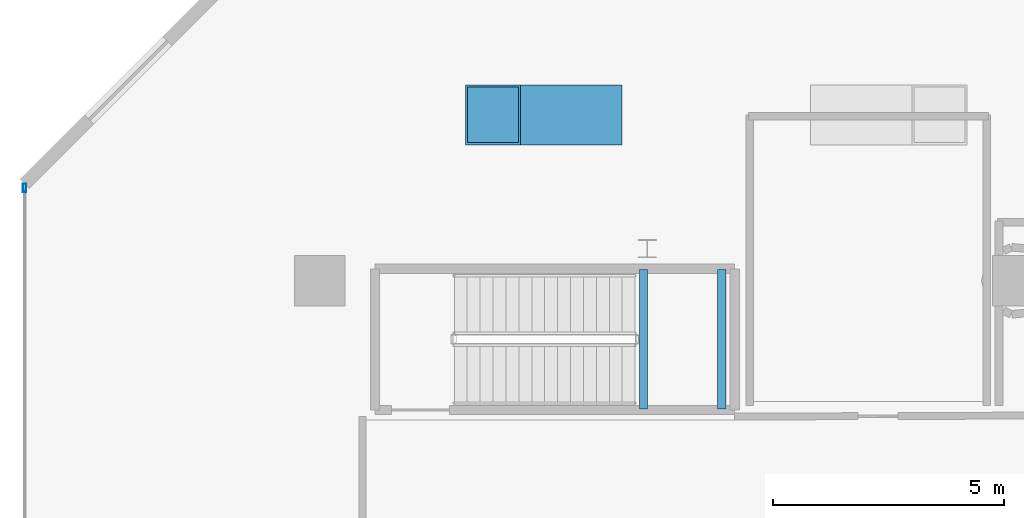
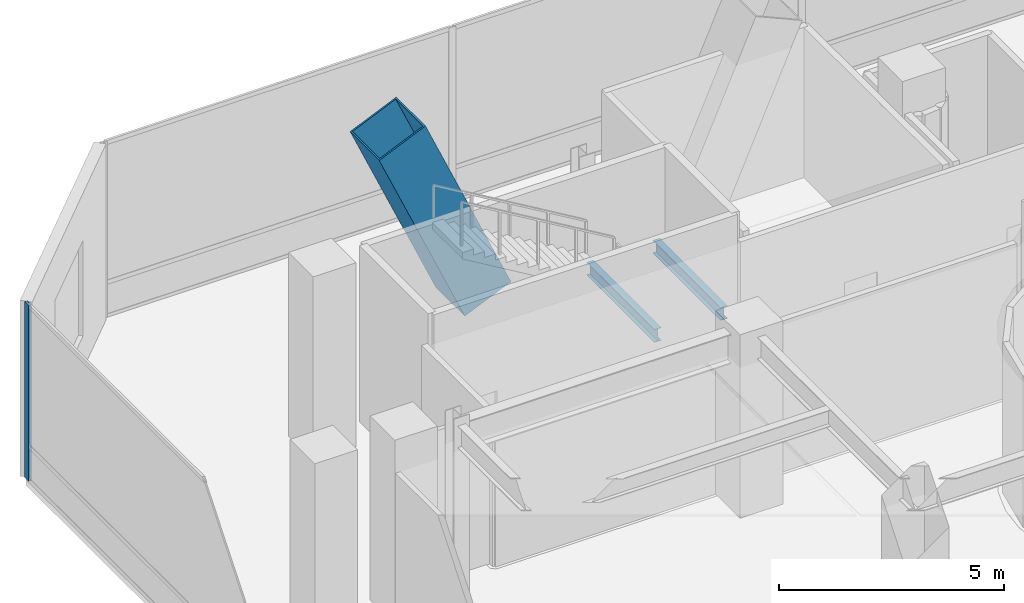
# One storey, part 17 of 42: 2 beams, 2 members, 1 element without a shape of its own.
"""IFC4 building model written with IfcOpenShell, lengths in metres."""

from ifc_helpers import new_model, si_unit, direction, frame, origin, origin_2d, place, context, subcontext, project, spatial, hollow_rectangle, i_section, extrude, material, layer, layer_set, material_profile, profile_set, type_object, element, aggregate, save


model = new_model("IFC4")

# Units and contexts
model_context = context("Model", 3, precision=1e-05, world=origin(), true_north=direction((0.0, 1.0)))
body_context = subcontext(model_context, "Body", "Model", "MODEL_VIEW")
ifc_project = project(units=[si_unit("LENGTHUNIT", "METRE"), si_unit("AREAUNIT", "SQUARE_METRE"), si_unit("VOLUMEUNIT", "CUBIC_METRE"), si_unit("PLANEANGLEUNIT", "RADIAN"), si_unit("MASSUNIT", "GRAM", prefix="KILO")], contexts=[model_context])

# Site, building, storey
site_placement = place(None, origin())
site = spatial("IfcSite", under=ifc_project, at=site_placement, CompositionType="ELEMENT")
building_placement = place(site_placement, origin())
building = spatial("IfcBuilding", under=site, at=building_placement, Name="Qianvela Tower", CompositionType="ELEMENT")
storey_placement = place(building_placement, frame((0.0, 0.0, 6.0)))
storey = spatial("IfcBuildingStorey", under=building, at=storey_placement, Name="L01", CompositionType="ELEMENT", Elevation=6.0)

# Beams
ifc_material_1 = material(Name="Steel Q355B", Category="steel")
ifc_material_profile_1 = material_profile(ifc_material_1, i_section(OverallWidth=0.175048828125, OverallDepth=0.35009765625, WebThickness=0.007080078125, FlangeThickness=0.010986328125, at=origin_2d()), Name="HN350x175x7x11")
ifc_profile_set_1 = profile_set([ifc_material_profile_1], Name="Steel Q355B")
beam_type = type_object("IfcBeamType", Name="BM-HN350-JOIST", PredefinedType="JOIST", material=ifc_profile_set_1)
for number, where, z_axis, x_axis, name in (
    (1, (14.919921875, 41.1201171875, 2.125), (0.0, 1.0, 0.0), (-1.0, 0.0, 0.0), "L01 Stair ST-3 Landing Support Beam 1.1"),
    (2, (16.6201171875, 41.1201171875, 2.125), (0.0, 1.0, 0.0), (-1.0, 0.0, 0.0), "L01 Stair ST-3 Landing Support Beam 1.2"),
):
    element("IfcBeam", number, at=place(storey_placement, frame(where, z_axis=z_axis, x_axis=x_axis)), inside=storey, type_object=beam_type, Name=name, PredefinedType="JOIST", context=body_context, shape_type="SweptSolid", body=[
        extrude(i_section(OverallWidth=0.175048828125, OverallDepth=0.35009765625, WebThickness=0.007080078125, FlangeThickness=0.010986328125, at=origin_2d()), origin(), (0.0, 0.0, 1.0), 3.019775390625),
    ])

# Curtain wall, member
ifc_material_2 = material(Name="Anodised Architectural Aluminium and Low-E Glass", Category="aluminium")
ifc_layer = layer(ifc_material_2, 0.179931640625)
ifc_layer_set = layer_set([ifc_layer], Name="Anodised Architectural Aluminium and Low-E Glass")
curtain_wall_type = type_object("IfcCurtainWallType", Name="CW-COMMONS", PredefinedType="USERDEFINED", material=ifc_layer_set)
curtain_wall_placement = place(storey_placement, origin())
curtain_wall = element("IfcCurtainWall", 3, at=curtain_wall_placement, inside=storey, type_object=curtain_wall_type, Name="L01 CW-COMMONS Curtain Wall 07", ObjectType="CURTAIN_WALL_SYSTEM", PredefinedType="USERDEFINED")
ifc_material_3 = material(Name="Anodised Architectural Aluminium 6063-T6", Category="aluminium")
ifc_material_profile_2 = material_profile(ifc_material_3, hollow_rectangle(XDim=0.070068359375, YDim=0.179931640625, WallThickness=0.0048828125, at=origin_2d()), Name="ALU-MULL-70x180")
ifc_profile_set_2 = profile_set([ifc_material_profile_2], Name="Anodised Architectural Aluminium 6063-T6")
member_type_1 = type_object("IfcMemberType", Name="CW-COMMONS-MULL", PredefinedType="MULLION", material=ifc_profile_set_2)
member_1_placement = place(storey_placement, frame((1.5, 45.9150390625, 0.0), z_axis=(0.0, 0.0, 1.0), x_axis=(1.0, 0.0, 0.0)))
member_1 = element("IfcMember", 4, at=member_1_placement, type_object=member_type_1, Name="CW-2 mullion 1", PredefinedType="MULLION", context=body_context, shape_type="SweptSolid", body=[
    extrude(hollow_rectangle(XDim=0.070068359375, YDim=0.179931640625, WallThickness=0.0048828125, at=origin_2d()), origin(), (0.0, 0.0, 1.0), 4.780029296875),
])
aggregate(curtain_wall, [member_1])

# Member
ifc_material_4 = material(Name="Steel Q420GJC", Category="steel")
ifc_material_profile_3 = material_profile(ifc_material_4, hollow_rectangle(XDim=1.300048828125, YDim=1.300048828125, WallThickness=0.044921875, at=origin_2d()), Name="VBOX-1300x1300x45")
ifc_profile_set_3 = profile_set([ifc_material_profile_3], Name="Steel Q420GJC")
member_type_2 = type_object("IfcMemberType", Name="MBR-VCOL-1300", PredefinedType="POST", material=ifc_profile_set_3)
member_2_placement = place(storey_placement, frame((13.860595703125, 47.5, 0.0), z_axis=(-0.402618783225, 0.0, 0.915367748719), x_axis=(0.0, -1.0, 0.0)))
element("IfcMember", 5, at=member_2_placement, inside=storey, type_object=member_type_2, Name="L01 Concourse Inclined V-Column VC-N1 Leg L", PredefinedType="POST", context=body_context, shape_type="SweptSolid", body=[
    extrude(hollow_rectangle(XDim=1.300048828125, YDim=1.300048828125, WallThickness=0.044921875, at=origin_2d()), origin(), (0.0, 0.0, 1.0), 5.46240234375),
])

save(model, "model.ifc")
